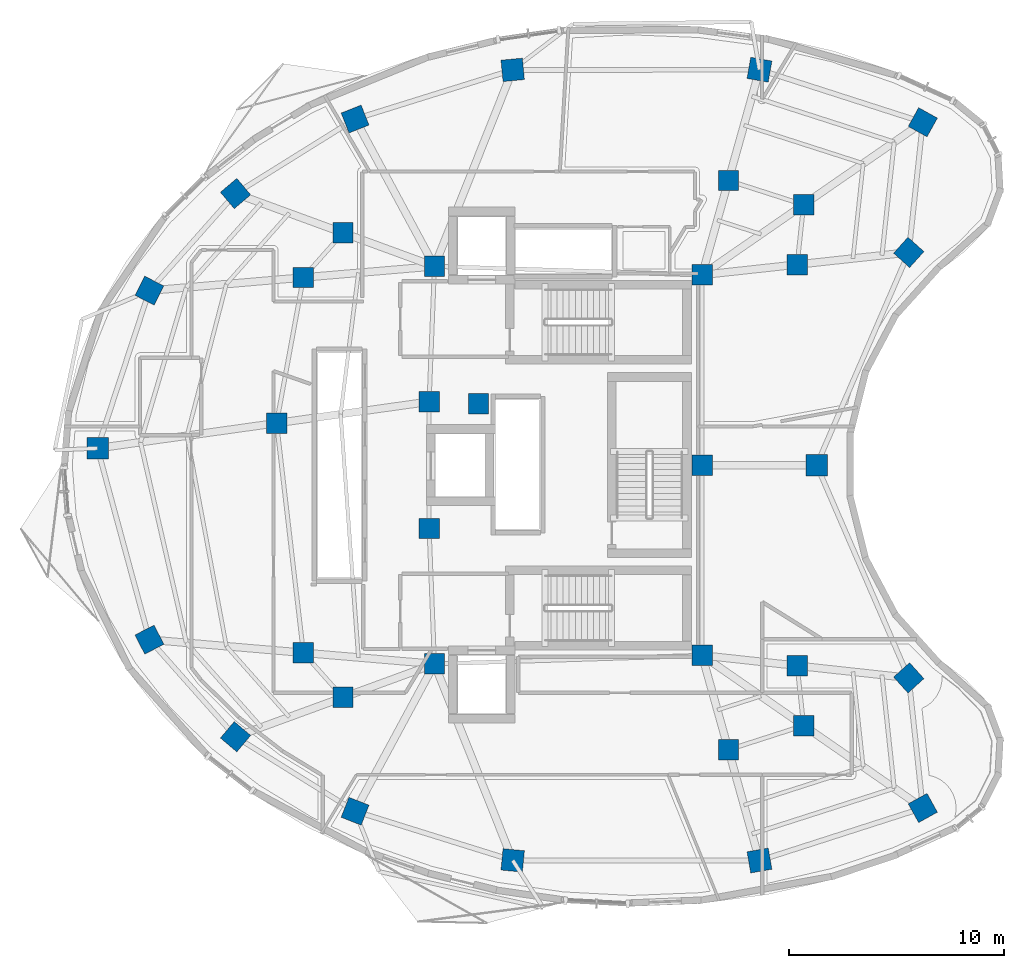
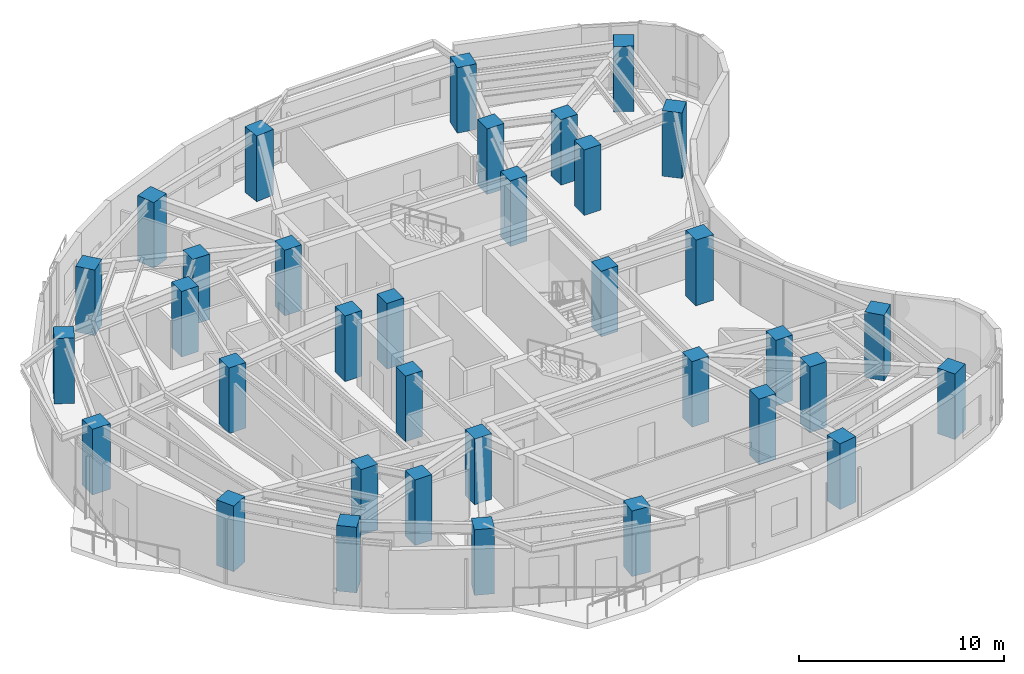
# One storey, part 1 of 13: 35 columns.
"""IFC4 building model written with IfcOpenShell, lengths in metres."""

from ifc_helpers import new_model, si_unit, direction, frame, origin, origin_2d, place, context, subcontext, project, spatial, rectangle, extrude, material, material_profile, profile_set, type_object, element, save


model = new_model("IFC4")

# Units and contexts
model_context = context("Model", 3, precision=1e-05, world=origin(), true_north=direction((0.0, 1.0)))
body_context = subcontext(model_context, "Body", "Model", "MODEL_VIEW")
ifc_project = project(units=[si_unit("LENGTHUNIT", "METRE"), si_unit("AREAUNIT", "SQUARE_METRE"), si_unit("VOLUMEUNIT", "CUBIC_METRE"), si_unit("PLANEANGLEUNIT", "RADIAN"), si_unit("MASSUNIT", "GRAM", prefix="KILO")], contexts=[model_context])

# Site, building, storey
site_placement = place(None, origin())
site = spatial("IfcSite", under=ifc_project, at=site_placement, CompositionType="ELEMENT")
building_placement = place(site_placement, origin())
building = spatial("IfcBuilding", under=site, at=building_placement, Name="Korentha Bioscience Tower", CompositionType="ELEMENT")
storey_placement = place(building_placement, frame((0.0, 0.0, 192.0)))
storey = spatial("IfcBuildingStorey", under=building, at=storey_placement, Name="L44", CompositionType="ELEMENT", Elevation=192.0)

# Columns
ifc_material = material(Name="Concrete C65", Category="concrete")
ifc_material_profile_1 = material_profile(ifc_material, rectangle(XDim=0.949951171875, YDim=0.949951171875, at=origin_2d()), Name="Concrete C65")
ifc_profile_set_1 = profile_set([ifc_material_profile_1], Name="Concrete C65 (COL-CP09)")
column_type_1 = type_object("IfcColumnType", Name="Core Pilaster Column RC 950x950", PredefinedType="PILASTER", material=ifc_profile_set_1)
for number, where, z_axis, x_axis, name in (
    (1, (37.550048828125, 35.85009765625, -0.00048828125), (0.0, 0.0, 1.0), (1.0, 0.0, 0.0), "L44 Core Pilaster CP-01"),
    (2, (25.10009765625, 36.25, -0.00048828125), (0.0, 0.0, 1.0), (1.0, 0.0, 0.0), "L44 Core Pilaster CP-02"),
    (3, (24.85009765625, 29.949951171875, -0.00048828125), (0.0, 0.0, 1.0), (1.0, 0.0, 0.0), "L44 Core Pilaster CP-03"),
    (4, (27.14990234375, 29.85009765625, -0.00048828125), (0.0, 0.0, 1.0), (1.0, 0.0, 0.0), "L44 Core Pilaster CP-04"),
    (5, (24.85009765625, 24.050048828125, -0.00048828125), (0.0, 0.0, 1.0), (1.0, 0.0, 0.0), "L44 Core Pilaster CP-05"),
    (6, (25.10009765625, 17.75, -0.00048828125), (0.0, 0.0, 1.0), (1.0, 0.0, 0.0), "L44 Core Pilaster CP-06"),
    (7, (37.550048828125, 18.14990234375, -0.00048828125), (0.0, 0.0, 1.0), (1.0, 0.0, 0.0), "L44 Core Pilaster CP-07"),
    (8, (37.550048828125, 27.0, -0.00048828125), (0.0, 0.0, 1.0), (1.0, 0.0, 0.0), "L44 Core Pilaster CP-08"),
):
    element("IfcColumn", number, at=place(storey_placement, frame(where, z_axis=z_axis, x_axis=x_axis)), inside=storey, type_object=column_type_1, Name=name, PredefinedType="PILASTER", context=body_context, shape_type="SweptSolid", body=[
        extrude(rectangle(XDim=0.949951171875, YDim=0.949951171875, at=origin_2d()), origin(), (0.0, 0.0, 1.0), 3.90087890625),
    ])
ifc_material_profile_2 = material_profile(ifc_material, rectangle(XDim=0.949951171875, YDim=0.949951171875, at=origin_2d()), Name="Concrete C65")
ifc_profile_set_2 = profile_set([ifc_material_profile_2], Name="Concrete C65 (COL-MR09)")
column_type_2 = type_object("IfcColumnType", Name="Mid-Ring Lab Column RC 950x950", PredefinedType="COLUMN", material=ifc_profile_set_2)
for number, where, z_axis, x_axis, name in (
    (9, (42.274658203125, 39.1171875, -0.00048828125), (0.0, 0.0, 1.0), (1.0, 0.0, 0.0), "L44 Mid-Ring Column 01"),
    (10, (38.77880859375, 40.2412109375, -0.00048828125), (0.0, 0.0, 1.0), (1.0, 0.0, 0.0), "L44 Mid-Ring Column 02"),
    (11, (20.84228515625, 37.807861328125, -0.00048828125), (0.0, 0.0, 1.0), (1.0, 0.0, 0.0), "L44 Mid-Ring Column 05"),
    (12, (18.99951171875, 35.72998046875, -0.00048828125), (0.0, 0.0, 1.0), (1.0, 0.0, 0.0), "L44 Mid-Ring Column 06"),
    (13, (17.75341796875, 28.95458984375, -0.00048828125), (0.0, 0.0, 1.0), (1.0, 0.0, 0.0), "L44 Mid-Ring Column 07"),
    (14, (18.99951171875, 18.27001953125, -0.00048828125), (0.0, 0.0, 1.0), (1.0, 0.0, 0.0), "L44 Mid-Ring Column 08"),
    (15, (20.84228515625, 16.192138671875, -0.00048828125), (0.0, 0.0, 1.0), (1.0, 0.0, 0.0), "L44 Mid-Ring Column 09"),
    (16, (38.77880859375, 13.7587890625, -0.00048828125), (0.0, 0.0, 1.0), (1.0, 0.0, 0.0), "L44 Mid-Ring Column 12"),
    (17, (42.274658203125, 14.8828125, -0.00048828125), (0.0, 0.0, 1.0), (1.0, 0.0, 0.0), "L44 Mid-Ring Column 13"),
    (18, (41.97412109375, 17.66796875, -0.00048828125), (0.0, 0.0, 1.0), (1.0, 0.0, 0.0), "L44 Mid-Ring Column 14"),
    (19, (41.97412109375, 36.33203125, -0.00048828125), (0.0, 0.0, 1.0), (1.0, 0.0, 0.0), "L44 Mid-Ring Column 16"),
):
    element("IfcColumn", number, at=place(storey_placement, frame(where, z_axis=z_axis, x_axis=x_axis)), inside=storey, type_object=column_type_2, Name=name, PredefinedType="COLUMN", context=body_context, shape_type="SweptSolid", body=[
        extrude(rectangle(XDim=0.949951171875, YDim=0.949951171875, at=origin_2d()), origin(), (0.0, 0.0, 1.0), 3.90087890625),
    ])
ifc_material_profile_3 = material_profile(ifc_material, rectangle(XDim=1.0, YDim=1.0, at=origin_2d()), Name="Concrete C65")
ifc_profile_set_3 = profile_set([ifc_material_profile_3], Name="Concrete C65 (COL-P10)")
column_type_3 = type_object("IfcColumnType", Name="Perimeter Column RC 1000x1000", PredefinedType="COLUMN", material=ifc_profile_set_3)
for number, where, z_axis, x_axis, name in (
    (20, (47.821044921875, 42.95263671875, -0.00048828125), (0.0, 0.0, 1.0), (-0.874535078577, 0.484962262797, 0.0), "L44 Perimeter Column 01"),
    (21, (40.22119140625, 45.39599609375, -0.00048828125), (0.0, 0.0, 1.0), (-0.984868307662, 0.173304404339, 0.0), "L44 Perimeter Column 02"),
    (22, (28.739501953125, 45.390380859375, -0.00048828125), (0.0, 0.0, 1.0), (0.995462868748, 0.095150811579, 0.0), "L44 Perimeter Column 03"),
    (23, (21.405517578125, 43.102783203125, -0.00048828125), (0.0, 0.0, 1.0), (0.930225540858, 0.366988341962, 0.0), "L44 Perimeter Column 04"),
    (24, (15.843994140625, 39.63671875, -0.00048828125), (0.0, 0.0, 1.0), (0.764246456939, 0.644924300253, 0.0), "L44 Perimeter Column 05"),
    (25, (11.837890625, 35.119384765625, -0.00048828125), (0.0, 0.0, 1.0), (0.453057191132, 0.891481453292, 0.0), "L44 Perimeter Column 06"),
    (26, (9.422607421875, 27.785888671875, -0.00048828125), (0.0, 0.0, 1.0), (0.0, 1.0, 0.0), "L44 Perimeter Column 07"),
    (27, (11.837890625, 18.880615234375, -0.00048828125), (0.0, 0.0, 1.0), (-0.453057191132, 0.891481453292, 0.0), "L44 Perimeter Column 08"),
    (28, (15.843994140625, 14.36328125, -0.00048828125), (0.0, 0.0, 1.0), (-0.764246456939, 0.644924300253, 0.0), "L44 Perimeter Column 09"),
    (29, (21.405517578125, 10.897216796875, -0.00048828125), (0.0, 0.0, 1.0), (-0.930225540858, 0.366988341962, 0.0), "L44 Perimeter Column 10"),
    (30, (28.739501953125, 8.609619140625, -0.00048828125), (0.0, 0.0, 1.0), (-0.995462868748, 0.095150811579, 0.0), "L44 Perimeter Column 11"),
    (31, (40.22119140625, 8.60400390625, -0.00048828125), (0.0, 0.0, 1.0), (0.984868307662, 0.173304404339, 0.0), "L44 Perimeter Column 12"),
    (32, (47.821044921875, 11.04736328125, -0.00048828125), (0.0, 0.0, 1.0), (0.874535078577, 0.484962262797, 0.0), "L44 Perimeter Column 13"),
    (33, (47.16748046875, 17.10205078125, -0.00048828125), (0.0, 0.0, 1.0), (-0.669130606359, 0.743144825477, 0.0), "L44 Perimeter Column 14"),
    (34, (42.8818359375, 27.0, -0.00048828125), (0.0, 0.0, 1.0), (0.0, 1.0, 0.0), "L44 Perimeter Column 15"),
    (35, (47.16748046875, 36.89794921875, -0.00048828125), (0.0, 0.0, 1.0), (0.669130606359, 0.743144825477, 0.0), "L44 Perimeter Column 16"),
):
    element("IfcColumn", number, at=place(storey_placement, frame(where, z_axis=z_axis, x_axis=x_axis)), inside=storey, type_object=column_type_3, Name=name, PredefinedType="COLUMN", context=body_context, shape_type="SweptSolid", body=[
        extrude(rectangle(XDim=1.0, YDim=1.0, at=origin_2d()), origin(), (0.0, 0.0, 1.0), 3.90087890625),
    ])

save(model, "model.ifc")
